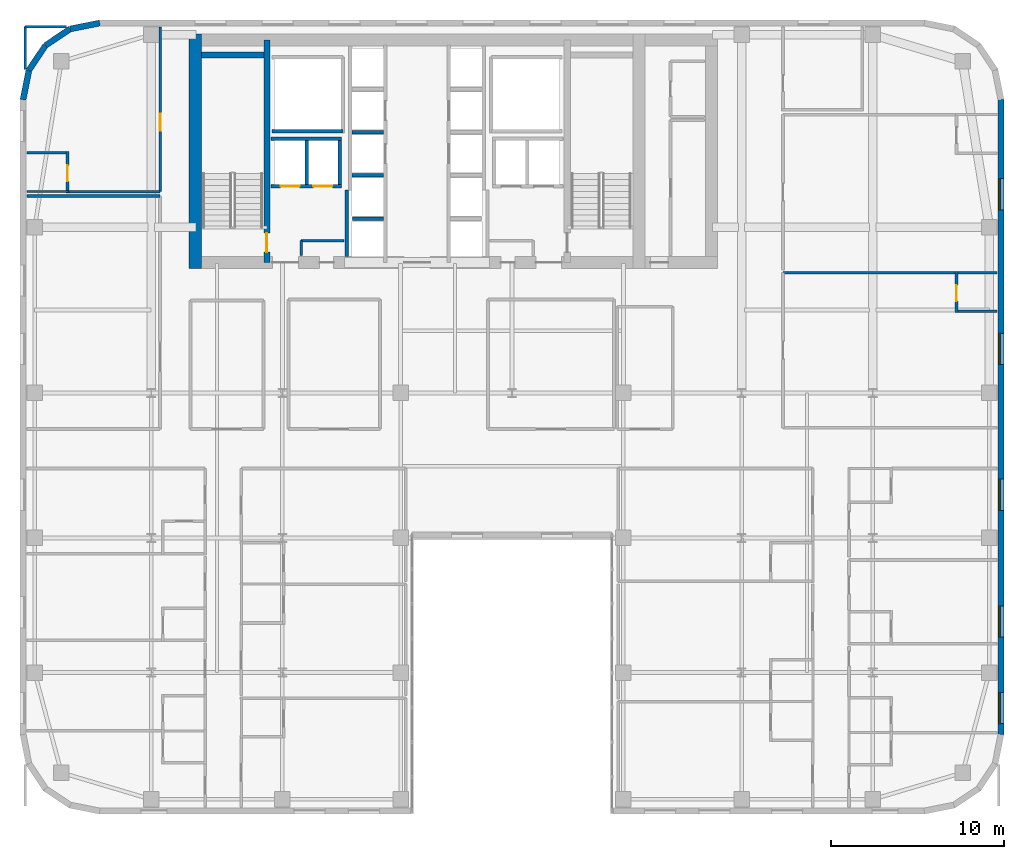
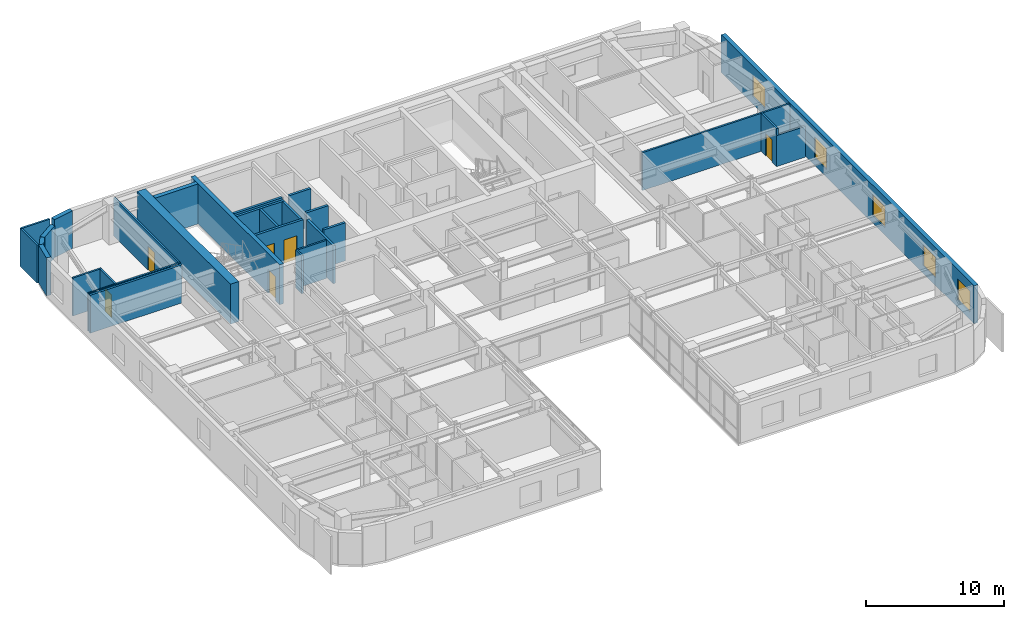
# One storey, part 14 of 17: 31 walls, 6 doors, 5 windows, 11 openings.
"""IFC4 building model written with IfcOpenShell, lengths in metres."""

from ifc_helpers import new_model, si_unit, direction, frame, frame_2d, origin, place, context, subcontext, project, spatial, rectangle, extrude, source, transform, mapped, material, layer, layer_set, type_object, type_shapes, element, fill, save


model = new_model("IFC4")

# Units and contexts
model_context = context("Model", 3, precision=1e-05, world=origin(), true_north=direction((0.0, 1.0)))
body_context = subcontext(model_context, "Body", "Model", "MODEL_VIEW")
ifc_project = project(units=[si_unit("LENGTHUNIT", "METRE"), si_unit("AREAUNIT", "SQUARE_METRE"), si_unit("VOLUMEUNIT", "CUBIC_METRE"), si_unit("PLANEANGLEUNIT", "RADIAN"), si_unit("MASSUNIT", "GRAM", prefix="KILO")], contexts=[model_context])

# Site, building, storey
site_placement = place(None, origin())
site = spatial("IfcSite", under=ifc_project, at=site_placement, CompositionType="ELEMENT")
building_placement = place(site_placement, origin())
building = spatial("IfcBuilding", under=site, at=building_placement, Name="Tolvann Quenvar Hotel", CompositionType="ELEMENT")
storey_placement = place(building_placement, frame((0.0, 0.0, 136.39990234375)))
storey = spatial("IfcBuildingStorey", under=building, at=storey_placement, Name="L35", CompositionType="ELEMENT", Elevation=136.39990234375)

# Wall
ifc_material_1 = material(Name="Concrete S65 (65 MPa)", Category="concrete")
ifc_layer_1 = layer(ifc_material_1, 0.699951171875)
ifc_layer_set_1 = layer_set([ifc_layer_1], Name="Concrete S65 (65 MPa)")
wall_type_1 = type_object("IfcWallType", Name="WALL_CORE_700", PredefinedType="SHEAR", material=ifc_layer_set_1)
wall_1_placement = place(storey_placement, frame((10.14990234375, 31.60009765625, 0.0), z_axis=(0.0, 0.0, 1.0), x_axis=(0.0, 1.0, 0.0)))
element("IfcWall", 1, at=wall_1_placement, inside=storey, type_object=wall_type_1, Name="Rear Core W Shear Wall (L35)", PredefinedType="SHEAR", context=body_context, shape_type="SweptSolid", body=[
    extrude(rectangle(XDim=13.599853515625, YDim=0.699951171875, at=frame_2d((6.7998046875, 0.0))), origin(), (0.0, 0.0, 1.0), 3.550048828125),
])

# Wall, opening, door
ifc_layer_2 = layer(ifc_material_1, 0.35009765625)
ifc_layer_set_2 = layer_set([ifc_layer_2], Name="Concrete S65 (65 MPa)")
wall_type_2 = type_object("IfcWallType", Name="WALL_CORE_INT_350", PredefinedType="SHEAR", material=ifc_layer_set_2)
wall_2_placement = place(storey_placement, frame((14.300048828125, 31.949951171875, 0.0), z_axis=(0.0, 0.0, 1.0), x_axis=(0.0, 1.0, 0.0)))
wall_2 = element("IfcWall", 2, at=wall_2_placement, inside=storey, type_object=wall_type_2, Name="Core Internal Web Shear Wall WEB-W (L35)", PredefinedType="SHEAR", context=body_context, shape_type="SweptSolid", body=[
    extrude(rectangle(XDim=12.900146484375, YDim=0.35009765625, at=frame_2d((6.4501953125, 0.0))), origin(), (0.0, 0.0, 1.0), 3.550048828125),
])
opening_1_placement = place(wall_2_placement, frame((0.60009765625, 0.0, 0.0)))
opening_1 = element("IfcOpeningElement", 3, at=opening_1_placement, cuts=wall_2, Name="Opening FD-120", PredefinedType="OPENING", context=body_context, shape_type="SweptSolid", body=[
    extrude(rectangle(XDim=1.10009765625, YDim=2.1201171875, at=frame_2d((0.550048828125, 1.06005859375))), frame((0.0, 0.18505859375, 0.0), z_axis=(0.0, -1.0, 0.0), x_axis=(1.0, 0.0, 0.0)), (0.0, 0.0, 1.0), 0.3701171875),
])
ifc_material_2 = material(Name="Pressed galvanised steel fire-rated door set", Category="steel")
door_type_1 = type_object("IfcDoorType", Name="DOOR_FIRE_STAIR_1100", OperationType="NOTDEFINED", PredefinedType="DOOR", material=ifc_material_2)
shared_shape_1 = source(origin(), body_context, "Body", "SweptSolid", [
    extrude(rectangle(XDim=1.10009765625, YDim=2.1201171875, at=frame_2d((0.550048828125, 1.06005859375))), frame((0.0, 0.02490234375, 0.0), z_axis=(0.0, -1.0, 0.0), x_axis=(1.0, 0.0, 0.0)), (0.0, 0.0, 1.0), 0.050048828125),
])
type_shapes(door_type_1, [shared_shape_1])
door_1_placement = place(opening_1_placement, origin())
door_1 = element("IfcDoor", 4, at=door_1_placement, inside=storey, type_object=door_type_1, Name="Exit Stair ST-C1 Fire Door (L35)", OperationType="SINGLE_SWING_LEFT", OverallHeight=2.1201171875, OverallWidth=1.10009765625, PredefinedType="DOOR", context=body_context, shape_type="MappedRepresentation", body=[
    mapped(shared_shape_1, transform((0.0, 0.0, 0.0), x_axis=(1.0, 0.0, 0.0), y_axis=(0.0, 1.0, 0.0), z_axis=(0.0, 0.0, 1.0), scale=1.0)),
])
fill(opening_1, door_1)

# Wall
wall_3_placement = place(storey_placement, frame((10.52001953125, 43.97509765625, 0.0), z_axis=(0.0, 0.0, 1.0), x_axis=(1.0, 0.0, 0.0)))
element("IfcWall", 5, at=wall_3_placement, inside=storey, type_object=wall_type_2, Name="Core Stair North Closing Shear Wall STC1-N (L35)", PredefinedType="SHEAR", context=body_context, shape_type="SweptSolid", body=[
    extrude(rectangle(XDim=3.60009765625, YDim=0.35009765625, at=frame_2d((1.800048828125, 0.0))), origin(), (0.0, 0.0, 1.0), 3.550048828125),
])

# Wall, openings, windows
ifc_material_3 = material(Name="Kiln-fired red and buff architectural clay brickwork and terracotta masonry", Category="masonry")
ifc_layer_3 = layer(ifc_material_3, 0.35009765625)
ifc_layer_set_3 = layer_set([ifc_layer_3], Name="Kiln-fired red and buff architectural clay brickwork and terracotta masonry")
wall_type_3 = type_object("IfcWallType", Name="WALL_EXT_BRICK_350", PredefinedType="SOLIDWALL", material=ifc_layer_set_3)
wall_4_placement = place(storey_placement, frame((56.824951171875, 4.6171875, 0.0), z_axis=(0.0, 0.0, 1.0), x_axis=(0.0, 1.0, 0.0)))
wall_4 = element("IfcWall", 6, at=wall_4_placement, inside=storey, type_object=wall_type_3, Name="Exterior Chicago Brick Wall L35-E13", PredefinedType="SOLIDWALL", context=body_context, shape_type="SweptSolid", body=[
    extrude(rectangle(XDim=36.765625, YDim=0.35009765625, at=frame_2d((18.3828125, 0.0))), origin(), (0.0, 0.0, 1.0), 3.3701171875),
])
opening_2_placement = place(wall_4_placement, frame((0.6259765625, 0.0, 0.679931640625)))
opening_2 = element("IfcOpeningElement", 7, at=opening_2_placement, cuts=wall_4, Name="Opening W-03", PredefinedType="OPENING", context=body_context, shape_type="SweptSolid", body=[
    extrude(rectangle(XDim=1.800048828125, YDim=1.85009765625, at=frame_2d((0.89990234375, 0.925048828125))), frame((0.0, 0.18505859375, 0.0), z_axis=(0.0, -1.0, 0.0), x_axis=(1.0, 0.0, 0.0)), (0.0, 0.0, 1.0), 0.3701171875),
])
opening_3_placement = place(wall_4_placement, frame((5.6279296875, 0.0, 0.679931640625)))
opening_3 = element("IfcOpeningElement", 8, at=opening_3_placement, cuts=wall_4, Name="Opening W-03", PredefinedType="OPENING", context=body_context, shape_type="SweptSolid", body=[
    extrude(rectangle(XDim=1.800048828125, YDim=1.85009765625, at=frame_2d((0.89990234375, 0.925048828125))), frame((0.0, 0.18505859375, 0.0), z_axis=(0.0, -1.0, 0.0), x_axis=(1.0, 0.0, 0.0)), (0.0, 0.0, 1.0), 0.3701171875),
])
opening_4_placement = place(wall_4_placement, frame((12.98095703125, 0.0, 0.679931640625)))
opening_4 = element("IfcOpeningElement", 9, at=opening_4_placement, cuts=wall_4, Name="Opening W-03", PredefinedType="OPENING", context=body_context, shape_type="SweptSolid", body=[
    extrude(rectangle(XDim=1.800048828125, YDim=1.85009765625, at=frame_2d((0.89990234375, 0.925048828125))), frame((0.0, 0.18505859375, 0.0), z_axis=(0.0, -1.0, 0.0), x_axis=(1.0, 0.0, 0.0)), (0.0, 0.0, 1.0), 0.3701171875),
])
opening_5_placement = place(wall_4_placement, frame((21.43505859375, 0.0, 0.679931640625)))
opening_5 = element("IfcOpeningElement", 10, at=opening_5_placement, cuts=wall_4, Name="Opening W-03", PredefinedType="OPENING", context=body_context, shape_type="SweptSolid", body=[
    extrude(rectangle(XDim=1.800048828125, YDim=1.85009765625, at=frame_2d((0.89990234375, 0.925048828125))), frame((0.0, 0.18505859375, 0.0), z_axis=(0.0, -1.0, 0.0), x_axis=(1.0, 0.0, 0.0)), (0.0, 0.0, 1.0), 0.3701171875),
])
opening_6_placement = place(wall_4_placement, frame((30.387939453125, 0.0, 0.679931640625)))
opening_6 = element("IfcOpeningElement", 11, at=opening_6_placement, cuts=wall_4, Name="Opening W-03", PredefinedType="OPENING", context=body_context, shape_type="SweptSolid", body=[
    extrude(rectangle(XDim=1.800048828125, YDim=1.85009765625, at=frame_2d((0.89990234375, 0.925048828125))), frame((0.0, 0.18505859375, 0.0), z_axis=(0.0, -1.0, 0.0), x_axis=(1.0, 0.0, 0.0)), (0.0, 0.0, 1.0), 0.3701171875),
])
ifc_material_4 = material(Name="Thermally broken bronze-anodised aluminium frame with double low-E glazing", Category="aluminium")
window_type = type_object("IfcWindowType", Name="WIN_CHI_1800x2050", PartitioningType="TRIPLE_PANEL_HORIZONTAL", PredefinedType="WINDOW", material=ifc_material_4)
shared_shape_2 = source(origin(), body_context, "Body", "SweptSolid", [
    extrude(rectangle(XDim=1.800048828125, YDim=1.85009765625, at=frame_2d((0.89990234375, 0.925048828125))), frame((0.0, 0.090087890625, 0.0), z_axis=(0.0, -1.0, 0.0), x_axis=(1.0, 0.0, 0.0)), (0.0, 0.0, 1.0), 0.06005859375),
])
type_shapes(window_type, [shared_shape_2])
window_1_placement = place(opening_2_placement, origin())
window_1 = element("IfcWindow", 12, at=window_1_placement, inside=storey, type_object=window_type, Name="Chicago Window W-03 (EW-L35-E13-W01)", OverallHeight=1.85009765625, OverallWidth=1.800048828125, PartitioningType="TRIPLE_PANEL_HORIZONTAL", PredefinedType="WINDOW", context=body_context, shape_type="MappedRepresentation", body=[
    mapped(shared_shape_2, transform((0.0, 0.0, 0.0), x_axis=(1.0, 0.0, 0.0), y_axis=(0.0, 1.0, 0.0), z_axis=(0.0, 0.0, 1.0), scale=1.0)),
])
fill(opening_2, window_1)
window_2_placement = place(opening_3_placement, origin())
window_2 = element("IfcWindow", 13, at=window_2_placement, inside=storey, type_object=window_type, Name="Chicago Window W-03 (EW-L35-E13-W02)", OverallHeight=1.85009765625, OverallWidth=1.800048828125, PartitioningType="TRIPLE_PANEL_HORIZONTAL", PredefinedType="WINDOW", context=body_context, shape_type="MappedRepresentation", body=[
    mapped(shared_shape_2, transform((0.0, 0.0, 0.0), x_axis=(1.0, 0.0, 0.0), y_axis=(0.0, 1.0, 0.0), z_axis=(0.0, 0.0, 1.0), scale=1.0)),
])
fill(opening_3, window_2)
window_3_placement = place(opening_4_placement, origin())
window_3 = element("IfcWindow", 14, at=window_3_placement, inside=storey, type_object=window_type, Name="Chicago Window W-03 (EW-L35-E13-W03)", OverallHeight=1.85009765625, OverallWidth=1.800048828125, PartitioningType="TRIPLE_PANEL_HORIZONTAL", PredefinedType="WINDOW", context=body_context, shape_type="MappedRepresentation", body=[
    mapped(shared_shape_2, transform((0.0, 0.0, 0.0), x_axis=(1.0, 0.0, 0.0), y_axis=(0.0, 1.0, 0.0), z_axis=(0.0, 0.0, 1.0), scale=1.0)),
])
fill(opening_4, window_3)
window_4_placement = place(opening_5_placement, origin())
window_4 = element("IfcWindow", 15, at=window_4_placement, inside=storey, type_object=window_type, Name="Chicago Window W-03 (EW-L35-E13-W04)", OverallHeight=1.85009765625, OverallWidth=1.800048828125, PartitioningType="TRIPLE_PANEL_HORIZONTAL", PredefinedType="WINDOW", context=body_context, shape_type="MappedRepresentation", body=[
    mapped(shared_shape_2, transform((0.0, 0.0, 0.0), x_axis=(1.0, 0.0, 0.0), y_axis=(0.0, 1.0, 0.0), z_axis=(0.0, 0.0, 1.0), scale=1.0)),
])
fill(opening_5, window_4)
window_5_placement = place(opening_6_placement, origin())
window_5 = element("IfcWindow", 16, at=window_5_placement, inside=storey, type_object=window_type, Name="Chicago Window W-03 (EW-L35-E13-W05)", OverallHeight=1.85009765625, OverallWidth=1.800048828125, PartitioningType="TRIPLE_PANEL_HORIZONTAL", PredefinedType="WINDOW", context=body_context, shape_type="MappedRepresentation", body=[
    mapped(shared_shape_2, transform((0.0, 0.0, 0.0), x_axis=(1.0, 0.0, 0.0), y_axis=(0.0, 1.0, 0.0), z_axis=(0.0, 0.0, 1.0), scale=1.0)),
])
fill(opening_6, window_5)

# Walls
wall_5_placement = place(storey_placement, frame((4.6171875, 45.824951171875, 0.0), z_axis=(0.0, 0.0, 1.0), x_axis=(-0.980800971659, -0.195011420161, 0.0)))
element("IfcWall", 17, at=wall_5_placement, inside=storey, type_object=wall_type_3, Name="Exterior Chicago Brick Wall L35-E19", PredefinedType="SOLIDWALL", context=body_context, shape_type="SweptSolid", body=[
    extrude(rectangle(XDim=1.74267578125, YDim=0.35009765625, at=frame_2d((0.871337890625, 0.0))), origin(), (0.0, 0.0, 1.0), 3.3701171875),
])
for number, where, z_axis, x_axis, name in (
    (18, (2.907958984375, 45.485107421875, 0.0), (0.0, 0.0, 1.0), (-0.831483840845, -0.55554893791, 0.0), "Exterior Chicago Brick Wall L35-E20"),
    (19, (1.473388671875, 44.526611328125, 0.0), (0.0, 0.0, 1.0), (-0.55554893791, -0.831483840845, 0.0), "Exterior Chicago Brick Wall L35-E21"),
):
    element("IfcWall", number, at=place(storey_placement, frame(where, z_axis=z_axis, x_axis=x_axis)), inside=storey, type_object=wall_type_3, Name=name, PredefinedType="SOLIDWALL", context=body_context, shape_type="SweptSolid", body=[
        extrude(rectangle(XDim=1.725341796875, YDim=0.35009765625, at=frame_2d((0.86279296875, 0.0))), origin(), (0.0, 0.0, 1.0), 2.83203125),
    ])
wall_6_placement = place(storey_placement, frame((0.514892578125, 43.092041015625, 0.0), z_axis=(0.0, 0.0, 1.0), x_axis=(-0.195011420161, -0.980800971659, 0.0)))
element("IfcWall", 20, at=wall_6_placement, inside=storey, type_object=wall_type_3, Name="Exterior Chicago Brick Wall L35-E22", PredefinedType="SOLIDWALL", context=body_context, shape_type="SweptSolid", body=[
    extrude(rectangle(XDim=1.74267578125, YDim=0.35009765625, at=frame_2d((0.871337890625, 0.0))), origin(), (0.0, 0.0, 1.0), 3.3701171875),
])
ifc_material_5 = material(Name="Acoustic twin-stud fire-rated gypsum plasterboard partition")
ifc_layer_4 = layer(ifc_material_5, 0.179931640625)
ifc_layer_set_4 = layer_set([ifc_layer_4], Name="Acoustic twin-stud fire-rated gypsum plasterboard partition")
wall_type_4 = type_object("IfcWallType", Name="WALL_PART_ACOUSTIC_180", PredefinedType="PARTITIONING", material=ifc_layer_set_4)
wall_7_placement = place(storey_placement, frame((0.405029296875, 35.800048828125, 0.0), z_axis=(0.0, 0.0, 1.0), x_axis=(1.0, 0.0, 0.0)))
element("IfcWall", 21, at=wall_7_placement, inside=storey, type_object=wall_type_4, Name="Interior Partition PT-SPC-L35-SAL-N", PredefinedType="PARTITIONING", context=body_context, shape_type="SweptSolid", body=[
    extrude(rectangle(XDim=7.715087890625, YDim=0.179931640625, at=frame_2d((3.857421875, 0.0))), origin(), (0.0, 0.0, 1.0), 3.3701171875),
])
ifc_material_6 = material(Name="Moisture-resistant acoustic plumbing wall assembly")
ifc_layer_5 = layer(ifc_material_6, 0.1201171875)
ifc_layer_set_5 = layer_set([ifc_layer_5], Name="Moisture-resistant acoustic plumbing wall assembly")
wall_type_5 = type_object("IfcWallType", Name="WALL_PART_BATH_120", PredefinedType="PLUMBINGWALL", material=ifc_layer_set_5)
wall_8_placement = place(storey_placement, frame((0.405029296875, 36.06005859375, 0.0), z_axis=(0.0, 0.0, 1.0), x_axis=(1.0, 0.0, 0.0)))
element("IfcWall", 22, at=wall_8_placement, inside=storey, type_object=wall_type_5, Name="Non-Rated Plumbing Partition PT-SPC-L35-ENS-NW01-S", PredefinedType="PLUMBINGWALL", context=body_context, shape_type="SweptSolid", body=[
    extrude(rectangle(XDim=2.4150390625, YDim=0.1201171875, at=frame_2d((1.20751953125, 0.0))), origin(), (0.0, 0.0, 1.0), 3.3701171875),
])

# Wall, opening, door
ifc_layer_6 = layer(ifc_material_5, 0.14990234375)
ifc_layer_set_6 = layer_set([ifc_layer_6], Name="Acoustic twin-stud fire-rated gypsum plasterboard partition")
wall_type_6 = type_object("IfcWallType", Name="WALL_PART_SUITE_150", PredefinedType="PARTITIONING", material=ifc_layer_set_6)
wall_9_placement = place(storey_placement, frame((2.75, 35.989990234375, 0.0), z_axis=(0.0, 0.0, 1.0), x_axis=(0.0, 1.0, 0.0)))
wall_9 = element("IfcWall", 23, at=wall_9_placement, inside=storey, type_object=wall_type_6, Name="Interior Partition PT-SPC-L35-ENS-NW01-ENT", PredefinedType="PARTITIONING", context=body_context, shape_type="SweptSolid", body=[
    extrude(rectangle(XDim=2.389892578125, YDim=0.14990234375, at=frame_2d((1.19482421875, 0.0))), origin(), (0.0, 0.0, 1.0), 3.3701171875),
])
opening_7_placement = place(wall_9_placement, frame((0.6650390625, 0.0, 0.0)))
opening_7 = element("IfcOpeningElement", 24, at=opening_7_placement, cuts=wall_9, Name="Opening WD-01", PredefinedType="OPENING", context=body_context, shape_type="SweptSolid", body=[
    extrude(rectangle(XDim=0.919921875, YDim=2.010009765625, at=frame_2d((0.4599609375, 1.0048828125))), frame((0.0, 0.0849609375, 0.0), z_axis=(0.0, -1.0, 0.0), x_axis=(1.0, 0.0, 0.0)), (0.0, 0.0, 1.0), 0.169921875),
])
ifc_material_7 = material(Name="Solid-core American oak acoustic fire door leaf in steel frame", Category="steel")
door_type_2 = type_object("IfcDoorType", Name="DOOR_WC_920", OperationType="NOTDEFINED", PredefinedType="DOOR", material=ifc_material_7)
shared_shape_3 = source(origin(), body_context, "Body", "SweptSolid", [
    extrude(rectangle(XDim=0.919921875, YDim=2.010009765625, at=frame_2d((0.4599609375, 1.0048828125))), frame((0.0, 0.02490234375, 0.0), z_axis=(0.0, -1.0, 0.0), x_axis=(1.0, 0.0, 0.0)), (0.0, 0.0, 1.0), 0.050048828125),
])
type_shapes(door_type_2, [shared_shape_3])
door_2_placement = place(opening_7_placement, origin())
door_2 = element("IfcDoor", 25, at=door_2_placement, inside=storey, type_object=door_type_2, Name="Interior Door DOOR-SPC-L35-ENS-NW01", OperationType="SINGLE_SWING_LEFT", OverallHeight=2.010009765625, OverallWidth=0.919921875, PredefinedType="DOOR", context=body_context, shape_type="MappedRepresentation", body=[
    mapped(shared_shape_3, transform((0.0, 0.0, 0.0), x_axis=(1.0, 0.0, 0.0), y_axis=(0.0, 1.0, 0.0), z_axis=(0.0, 0.0, 1.0), scale=1.0)),
])
fill(opening_7, door_2)

# Wall
wall_10_placement = place(storey_placement, frame((0.405029296875, 38.31005859375, 0.0), z_axis=(0.0, 0.0, 1.0), x_axis=(1.0, 0.0, 0.0)))
element("IfcWall", 26, at=wall_10_placement, inside=storey, type_object=wall_type_6, Name="Interior Partition PT-SPC-L35-ENS-NW01-N", PredefinedType="PARTITIONING", context=body_context, shape_type="SweptSolid", body=[
    extrude(rectangle(XDim=2.4150390625, YDim=0.14990234375, at=frame_2d((1.20751953125, 0.0))), origin(), (0.0, 0.0, 1.0), 3.3701171875),
])

# Wall, opening, door
wall_11_placement = place(storey_placement, frame((54.25, 29.050048828125, 0.0), z_axis=(0.0, 0.0, 1.0), x_axis=(0.0, 1.0, 0.0)))
wall_11 = element("IfcWall", 27, at=wall_11_placement, inside=storey, type_object=wall_type_6, Name="Interior Partition PT-SPC-L35-ENS-NE01-ENT", PredefinedType="PARTITIONING", context=body_context, shape_type="SweptSolid", body=[
    extrude(rectangle(XDim=2.389892578125, YDim=0.14990234375, at=frame_2d((1.19482421875, 0.0))), origin(), (0.0, 0.0, 1.0), 3.3701171875),
])
opening_8_placement = place(wall_11_placement, frame((0.6650390625, 0.0, 0.0)))
opening_8 = element("IfcOpeningElement", 28, at=opening_8_placement, cuts=wall_11, Name="Opening WD-01", PredefinedType="OPENING", context=body_context, shape_type="SweptSolid", body=[
    extrude(rectangle(XDim=0.919921875, YDim=2.010009765625, at=frame_2d((0.4599609375, 1.0048828125))), frame((0.0, 0.0849609375, 0.0), z_axis=(0.0, -1.0, 0.0), x_axis=(1.0, 0.0, 0.0)), (0.0, 0.0, 1.0), 0.169921875),
])
door_3_placement = place(opening_8_placement, origin())
door_3 = element("IfcDoor", 29, at=door_3_placement, inside=storey, type_object=door_type_2, Name="Interior Door DOOR-SPC-L35-ENS-NE01", OperationType="SINGLE_SWING_RIGHT", OverallHeight=2.010009765625, OverallWidth=0.919921875, PredefinedType="DOOR", context=body_context, shape_type="MappedRepresentation", body=[
    mapped(shared_shape_3, transform((0.0, 0.0, 0.0), x_axis=(1.0, 0.0, 0.0), y_axis=(0.0, 1.0, 0.0), z_axis=(0.0, 0.0, 1.0), scale=1.0)),
])
fill(opening_8, door_3)

# Walls
wall_12_placement = place(storey_placement, frame((54.179931640625, 29.1201171875, 0.0), z_axis=(0.0, 0.0, 1.0), x_axis=(1.0, 0.0, 0.0)))
element("IfcWall", 30, at=wall_12_placement, inside=storey, type_object=wall_type_6, Name="Interior Partition PT-SPC-L35-ENS-NE01-S", PredefinedType="PARTITIONING", context=body_context, shape_type="SweptSolid", body=[
    extrude(rectangle(XDim=2.4150390625, YDim=0.14990234375, at=frame_2d((1.20751953125, 0.0))), origin(), (0.0, 0.0, 1.0), 2.748046875),
])
wall_13_placement = place(storey_placement, frame((54.179931640625, 31.3701171875, 0.0), z_axis=(0.0, 0.0, 1.0), x_axis=(1.0, 0.0, 0.0)))
element("IfcWall", 31, at=wall_13_placement, inside=storey, type_object=wall_type_6, Name="Interior Partition PT-SPC-L35-ENS-NE01-N", PredefinedType="PARTITIONING", context=body_context, shape_type="SweptSolid", body=[
    extrude(rectangle(XDim=2.4150390625, YDim=0.14990234375, at=frame_2d((1.20751953125, 0.0))), origin(), (0.0, 0.0, 1.0), 3.3701171875),
])
wall_14_placement = place(storey_placement, frame((16.280029296875, 33.219970703125, 0.0), z_axis=(0.0, 0.0, 1.0), x_axis=(1.0, 0.0, 0.0)))
element("IfcWall", 32, at=wall_14_placement, inside=storey, type_object=wall_type_6, Name="Interior Partition PT-SPC-L35-CSW-1-N", PredefinedType="PARTITIONING", context=body_context, shape_type="SweptSolid", body=[
    extrude(rectangle(XDim=2.48486328125, YDim=0.14990234375, at=frame_2d((1.242431640625, 0.0))), origin(), (0.0, 0.0, 1.0), 3.3701171875),
])
wall_15_placement = place(storey_placement, frame((16.280029296875, 32.35498046875, 0.0), z_axis=(0.0, 0.0, 1.0), x_axis=(0.0, 1.0, 0.0)))
element("IfcWall", 33, at=wall_15_placement, inside=storey, type_object=wall_type_6, Name="Interior Partition PT-SPC-L35-CSW-1-W", PredefinedType="PARTITIONING", context=body_context, shape_type="SweptSolid", body=[
    extrude(rectangle(XDim=0.864990234375, YDim=0.14990234375, at=frame_2d((0.4326171875, 0.0))), origin(), (0.0, 0.0, 1.0), 3.3701171875),
])

# Wall, opening, door
wall_16_placement = place(storey_placement, frame((8.1201171875, 36.06005859375, 0.0), z_axis=(0.0, 0.0, 1.0), x_axis=(0.0, 1.0, 0.0)))
wall_16 = element("IfcWall", 34, at=wall_16_placement, inside=storey, type_object=wall_type_6, Name="Interior Partition PT-SPC-L35-RM-NW01-ENT", PredefinedType="PARTITIONING", context=body_context, shape_type="SweptSolid", body=[
    extrude(rectangle(XDim=9.534912109375, YDim=0.14990234375, at=frame_2d((4.767578125, 0.0))), origin(), (0.0, 0.0, 1.0), 3.3701171875),
])
opening_9_placement = place(wall_16_placement, frame((3.530029296875, 0.0, 0.0)))
opening_9 = element("IfcOpeningElement", 35, at=opening_9_placement, cuts=wall_16, Name="Opening SD-01", PredefinedType="OPENING", context=body_context, shape_type="SweptSolid", body=[
    extrude(rectangle(XDim=0.97998046875, YDim=2.1201171875, at=frame_2d((0.489990234375, 1.06005859375))), frame((0.0, 0.0849609375, 0.0), z_axis=(0.0, -1.0, 0.0), x_axis=(1.0, 0.0, 0.0)), (0.0, 0.0, 1.0), 0.169921875),
])
door_type_3 = type_object("IfcDoorType", Name="DOOR_SUITE_980", OperationType="NOTDEFINED", PredefinedType="DOOR", material=ifc_material_7)
shared_shape_4 = source(origin(), body_context, "Body", "SweptSolid", [
    extrude(rectangle(XDim=0.97998046875, YDim=2.1201171875, at=frame_2d((0.489990234375, 1.06005859375))), frame((0.0, 0.02490234375, 0.0), z_axis=(0.0, -1.0, 0.0), x_axis=(1.0, 0.0, 0.0)), (0.0, 0.0, 1.0), 0.050048828125),
])
type_shapes(door_type_3, [shared_shape_4])
door_4_placement = place(opening_9_placement, origin())
door_4 = element("IfcDoor", 36, at=door_4_placement, inside=storey, type_object=door_type_3, Name="Interior Door DOOR-SPC-L35-RM-NW01", OperationType="SINGLE_SWING_RIGHT", OverallHeight=2.1201171875, OverallWidth=0.97998046875, PredefinedType="DOOR", context=body_context, shape_type="MappedRepresentation", body=[
    mapped(shared_shape_4, transform((0.0, 0.0, 0.0), x_axis=(1.0, 0.0, 0.0), y_axis=(0.0, 1.0, 0.0), z_axis=(0.0, 0.0, 1.0), scale=1.0)),
])
fill(opening_9, door_4)

# Walls
wall_17_placement = place(storey_placement, frame((2.77001953125, 36.06005859375, 0.0), z_axis=(0.0, 0.0, 1.0), x_axis=(1.0, 0.0, 0.0)))
element("IfcWall", 37, at=wall_17_placement, inside=storey, type_object=wall_type_6, Name="Interior Partition PT-SPC-L35-RM-NW01-E3", PredefinedType="PARTITIONING", context=body_context, shape_type="SweptSolid", body=[
    extrude(rectangle(XDim=5.35009765625, YDim=0.14990234375, at=frame_2d((2.675048828125, 0.0))), origin(), (0.0, 0.0, 1.0), 3.3701171875),
])
wall_18_placement = place(storey_placement, frame((0.300048828125, 45.6201171875, 0.0), z_axis=(0.0, 0.0, 1.0), x_axis=(1.0, 0.0, 0.0)))
element("IfcWall", 38, at=wall_18_placement, inside=storey, type_object=wall_type_6, Name="Interior Partition PT-SPC-L35-RM-NW01-E5", PredefinedType="PARTITIONING", context=body_context, shape_type="SweptSolid", body=[
    extrude(rectangle(XDim=2.39599609375, YDim=0.14990234375, at=frame_2d((1.197998046875, 0.0))), origin(), (0.0, 0.0, 1.0), 3.3701171875),
])
wall_19_placement = place(storey_placement, frame((0.300048828125, 43.135009765625, 0.0), z_axis=(0.0, 0.0, 1.0), x_axis=(0.0, 1.0, 0.0)))
element("IfcWall", 39, at=wall_19_placement, inside=storey, type_object=wall_type_6, Name="Interior Partition PT-SPC-L35-RM-NW01-E6", PredefinedType="PARTITIONING", context=body_context, shape_type="SweptSolid", body=[
    extrude(rectangle(XDim=2.485107421875, YDim=0.14990234375, at=frame_2d((1.24267578125, 0.0))), origin(), (0.0, 0.0, 1.0), 3.3701171875),
])
wall_20_placement = place(storey_placement, frame((44.199951171875, 31.3701171875, 0.0), z_axis=(0.0, 0.0, 1.0), x_axis=(1.0, 0.0, 0.0)))
element("IfcWall", 40, at=wall_20_placement, inside=storey, type_object=wall_type_6, Name="Interior Partition PT-SPC-L35-RM-NE01-E5", PredefinedType="PARTITIONING", context=body_context, shape_type="SweptSolid", body=[
    extrude(rectangle(XDim=10.030029296875, YDim=0.14990234375, at=frame_2d((5.01513671875, 0.0))), origin(), (0.0, 0.0, 1.0), 3.3701171875),
])
ifc_material_8 = material(Name="Concrete N40 (40 MPa)", Category="concrete")
ifc_layer_7 = layer(ifc_material_8, 0.199951171875)
ifc_layer_set_7 = layer_set([ifc_layer_7], Name="Concrete N40 (40 MPa)")
wall_type_7 = type_object("IfcWallType", Name="WALL_SHAFT_200", PredefinedType="SOLIDWALL", material=ifc_layer_set_7)
wall_21_placement = place(storey_placement, frame((14.60009765625, 39.550048828125, 0.0), z_axis=(0.0, 0.0, 1.0), x_axis=(1.0, 0.0, 0.0)))
element("IfcWall", 41, at=wall_21_placement, inside=storey, type_object=wall_type_7, Name="Service Riser W Shaft Wall S (L35)", PredefinedType="SOLIDWALL", context=body_context, shape_type="SweptSolid", body=[
    extrude(rectangle(XDim=4.099853515625, YDim=0.199951171875, at=frame_2d((2.0498046875, 0.0))), origin(), (0.0, 0.0, 1.0), 3.3701171875),
])
wall_22_placement = place(storey_placement, frame((18.919921875, 32.303955078125, 0.0), z_axis=(0.0, 0.0, 1.0), x_axis=(0.0, 1.0, 0.0)))
element("IfcWall", 42, at=wall_22_placement, inside=storey, type_object=wall_type_7, Name="Firefighting Lobby W Inner Fire Wall (L35)", PredefinedType="SOLIDWALL", context=body_context, shape_type="SweptSolid", body=[
    extrude(rectangle(XDim=3.845947265625, YDim=0.199951171875, at=frame_2d((1.9228515625, 0.0))), origin(), (0.0, 0.0, 1.0), 3.3701171875),
])
wall_23_placement = place(storey_placement, frame((19.27001953125, 34.5, 0.0), z_axis=(0.0, 0.0, 1.0), x_axis=(1.0, 0.0, 0.0)))
element("IfcWall", 43, at=wall_23_placement, inside=storey, type_object=wall_type_7, Name="Lift Bank E21.1C1 Divider Wall 1 (L35)", PredefinedType="SOLIDWALL", context=body_context, shape_type="SweptSolid", body=[
    extrude(rectangle(XDim=1.800048828125, YDim=0.199951171875, at=frame_2d((0.89990234375, 0.0))), origin(), (0.0, 0.0, 1.0), 3.3701171875),
])
for number, where, z_axis, x_axis, name in (
    (44, (19.22998046875, 37.0, 0.0), (0.0, 0.0, 1.0), (1.0, 0.0, 0.0), "Lift Bank E21.1C1 Divider Wall 2 (L35)"),
    (45, (19.22998046875, 39.5, 0.0), (0.0, 0.0, 1.0), (1.0, 0.0, 0.0), "Lift Bank E21.1C1 Divider Wall 3 (L35)"),
):
    element("IfcWall", number, at=place(storey_placement, frame(where, z_axis=z_axis, x_axis=x_axis)), inside=storey, type_object=wall_type_7, Name=name, PredefinedType="SOLIDWALL", context=body_context, shape_type="SweptSolid", body=[
        extrude(rectangle(XDim=1.840087890625, YDim=0.199951171875, at=frame_2d((0.919921875, 0.0))), origin(), (0.0, 0.0, 1.0), 3.3701171875),
    ])

# Wall, openings, doors
wall_24_placement = place(storey_placement, frame((14.550048828125, 36.3798828125, 0.0), z_axis=(0.0, 0.0, 1.0), x_axis=(1.0, 0.0, 0.0)))
wall_24 = element("IfcWall", 46, at=wall_24_placement, inside=storey, type_object=wall_type_7, Name="Lift Bank SWC1 Hoistway Front Wall (L35)", PredefinedType="SOLIDWALL", context=body_context, shape_type="SweptSolid", body=[
    extrude(rectangle(XDim=4.074951171875, YDim=0.199951171875, at=frame_2d((2.03759765625, 0.0))), origin(), (0.0, 0.0, 1.0), 3.3701171875),
])
opening_10_placement = place(wall_24_placement, frame((0.550048828125, 0.0, 0.0)))
opening_10 = element("IfcOpeningElement", 47, at=opening_10_placement, cuts=wall_24, Name="Opening LD-01", PredefinedType="OPENING", context=body_context, shape_type="SweptSolid", body=[
    extrude(rectangle(XDim=1.10009765625, YDim=2.1201171875, at=frame_2d((0.550048828125, 1.06005859375))), frame((0.0, 0.10986328125, 0.0), z_axis=(0.0, -1.0, 0.0), x_axis=(1.0, 0.0, 0.0)), (0.0, 0.0, 1.0), 0.219970703125),
])
opening_11_placement = place(wall_24_placement, frame((2.449951171875, 0.0, 0.0)))
opening_11 = element("IfcOpeningElement", 48, at=opening_11_placement, cuts=wall_24, Name="Opening LD-01", PredefinedType="OPENING", context=body_context, shape_type="SweptSolid", body=[
    extrude(rectangle(XDim=1.10009765625, YDim=2.1201171875, at=frame_2d((0.550048828125, 1.06005859375))), frame((0.0, 0.10986328125, 0.0), z_axis=(0.0, -1.0, 0.0), x_axis=(1.0, 0.0, 0.0)), (0.0, 0.0, 1.0), 0.219970703125),
])
ifc_material_9 = material(Name="Brushed 316 stainless steel automatic sliding lift landing door", Category="steel")
door_type_4 = type_object("IfcDoorType", Name="DOOR_LIFT_SLIDE_1100", OperationType="NOTDEFINED", PredefinedType="DOOR", material=ifc_material_9)
shared_shape_5 = source(origin(), body_context, "Body", "SweptSolid", [
    extrude(rectangle(XDim=1.10009765625, YDim=2.1201171875, at=frame_2d((0.550048828125, 1.06005859375))), frame((0.0, 0.02490234375, 0.0), z_axis=(0.0, -1.0, 0.0), x_axis=(1.0, 0.0, 0.0)), (0.0, 0.0, 1.0), 0.050048828125),
])
type_shapes(door_type_4, [shared_shape_5])
door_5_placement = place(opening_10_placement, origin())
door_5 = element("IfcDoor", 49, at=door_5_placement, inside=storey, type_object=door_type_4, Name="Lift FF-1 Sliding Landing Door (L35)", OperationType="SLIDING_TO_LEFT", OverallHeight=2.1201171875, OverallWidth=1.10009765625, PredefinedType="DOOR", context=body_context, shape_type="MappedRepresentation", body=[
    mapped(shared_shape_5, transform((0.0, 0.0, 0.0), x_axis=(1.0, 0.0, 0.0), y_axis=(0.0, 1.0, 0.0), z_axis=(0.0, 0.0, 1.0), scale=1.0)),
])
fill(opening_10, door_5)
door_6_placement = place(opening_11_placement, origin())
door_6 = element("IfcDoor", 50, at=door_6_placement, inside=storey, type_object=door_type_4, Name="Lift SV-1 Sliding Landing Door (L35)", OperationType="SLIDING_TO_RIGHT", OverallHeight=2.1201171875, OverallWidth=1.10009765625, PredefinedType="DOOR", context=body_context, shape_type="MappedRepresentation", body=[
    mapped(shared_shape_5, transform((0.0, 0.0, 0.0), x_axis=(1.0, 0.0, 0.0), y_axis=(0.0, 1.0, 0.0), z_axis=(0.0, 0.0, 1.0), scale=1.0)),
])
fill(opening_11, door_6)

# Walls
wall_25_placement = place(storey_placement, frame((14.550048828125, 39.1201171875, 0.0), z_axis=(0.0, 0.0, 1.0), x_axis=(1.0, 0.0, 0.0)))
element("IfcWall", 51, at=wall_25_placement, inside=storey, type_object=wall_type_7, Name="Lift Bank SWC1 Hoistway Rear Wall (L35)", PredefinedType="SOLIDWALL", context=body_context, shape_type="SweptSolid", body=[
    extrude(rectangle(XDim=4.074951171875, YDim=0.199951171875, at=frame_2d((2.03759765625, 0.0))), origin(), (0.0, 0.0, 1.0), 3.3701171875),
])
for number, where, z_axis, x_axis, name in (
    (52, (18.52490234375, 36.47998046875, 0.0), (0.0, 0.0, 1.0), (0.0, 1.0, 0.0), "Lift Bank SWC1 Hoistway Cheek Wall 2 (L35)"),
    (53, (16.612548828125, 36.47998046875, 0.0), (0.0, 0.0, 1.0), (0.0, 1.0, 0.0), "Lift Bank SWC1 Divider Wall 1 (L35)"),
):
    element("IfcWall", number, at=place(storey_placement, frame(where, z_axis=z_axis, x_axis=x_axis)), inside=storey, type_object=wall_type_7, Name=name, PredefinedType="SOLIDWALL", context=body_context, shape_type="SweptSolid", body=[
        extrude(rectangle(XDim=2.5400390625, YDim=0.199951171875, at=frame_2d((1.27001953125, 0.0))), origin(), (0.0, 0.0, 1.0), 3.3701171875),
    ])

save(model, "model.ifc")
